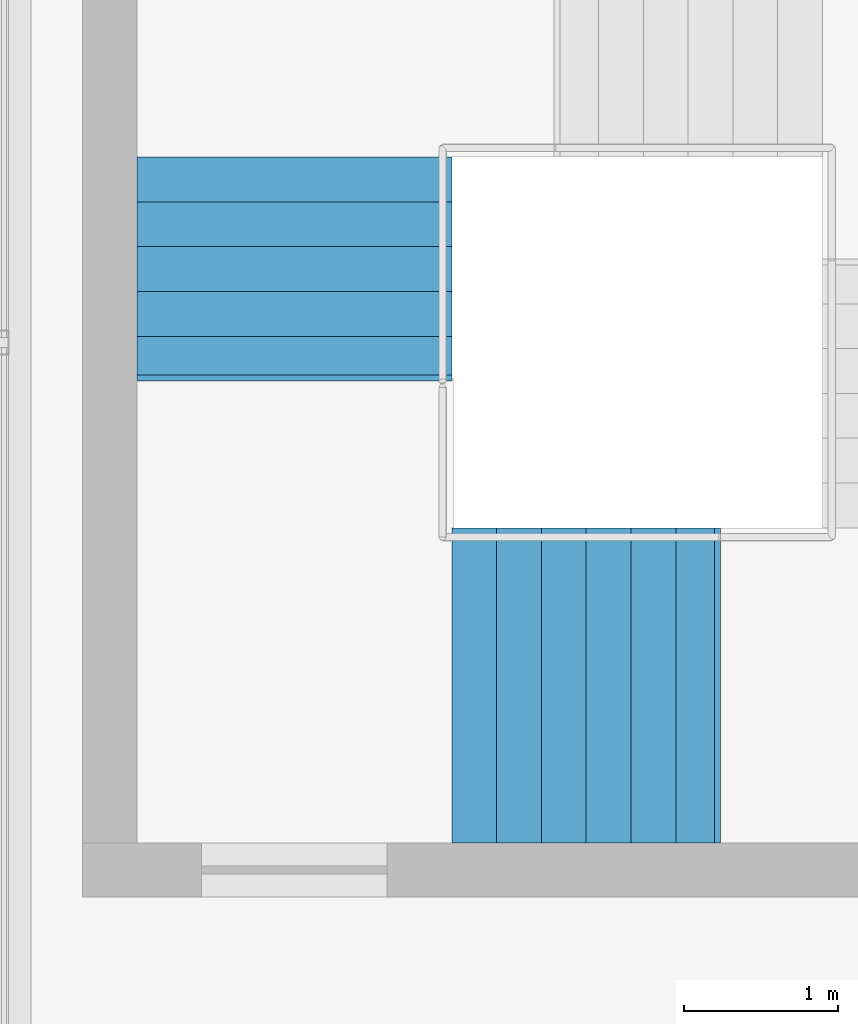
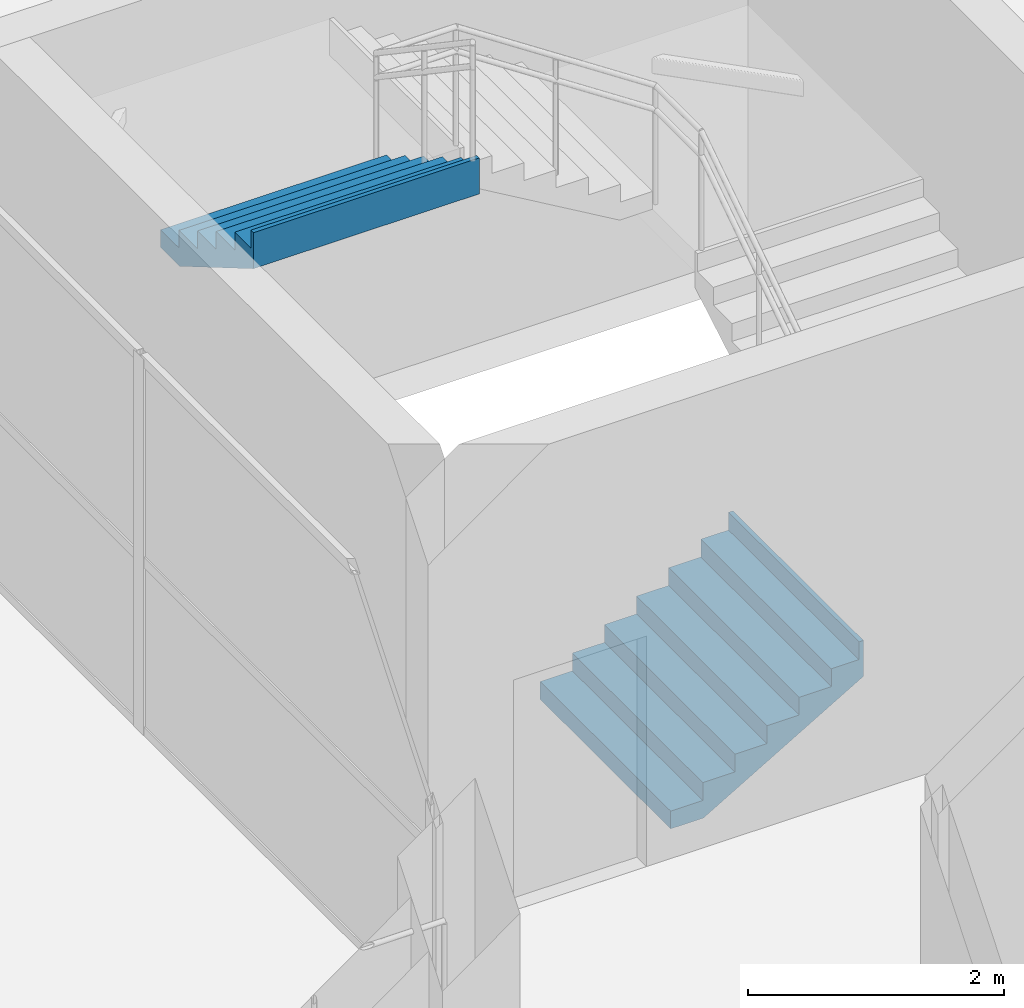
# One storey, part 63 of 69: 2 stair flights, 1 element without a shape of its own.
"""IFC4 building model written with IfcOpenShell, lengths in metres."""

import ifcopenshell
import ifcopenshell.guid

model = None  # the IFC model being written
_history = None  # IfcOwnerHistory: only IFC2X3 demands one
_inside = {}  # id of a spatial element -> (the spatial element, [elements in it])
_under = {}  # id of a project, library or spatial element -> (it, [spatial elements below it])
_declared = {}  # id of a project -> (the project, [libraries it declares])
_typed = {}  # id of a type object -> (the type object, [elements of that type])
_made_of = {}  # id of a material, layer set ... -> (it, [elements and type objects made of it])


def new_model(schema):
    """Start an empty IFC model of exactly this schema.

    Asked for "IFC4X3", IfcOpenShell would pick the latest addendum, in which some entities
    have other attributes; the version numbers below select the first issue.
    IFC2X3 requires an IfcOwnerHistory on every rooted entity: one is made here for all.
    """
    global model, _history
    if schema == "IFC4X3":
        model = ifcopenshell.file(schema_version=(4, 3, 0, 0))
    else:
        model = ifcopenshell.file(schema=schema)
    _inside.clear()
    _under.clear()
    _declared.clear()
    _typed.clear()
    _made_of.clear()
    _history = None
    if model.schema == "IFC2X3":
        org = make("IfcOrganization", Name="unknown")
        user = make(
            "IfcPersonAndOrganization",
            ThePerson=make("IfcPerson", FamilyName="unknown"),
            TheOrganization=org,
        )
        app = make(
            "IfcApplication",
            ApplicationDeveloper=org,
            Version="unknown",
            ApplicationFullName="unknown",
            ApplicationIdentifier="unknown",
        )
        _history = make(
            "IfcOwnerHistory",
            OwningUser=user,
            OwningApplication=app,
            ChangeAction="ADDED",
            CreationDate=0,
        )
    return model


def make(cls, **values):
    """One entity of the class cls with the attributes given. An attribute that is None is left unset."""
    return model.create_entity(
        cls, **{name: value for name, value in values.items() if value is not None}
    )


def rooted(cls, **values):
    """An entity with a GlobalId (a new one), such as an element, a storey or a relation."""
    return make(cls, GlobalId=ifcopenshell.guid.new(), OwnerHistory=_history, **values)


def si_unit(unit_type, name, prefix=None):
    """IfcSIUnit, for example si_unit("LENGTHUNIT", "METRE", prefix="MILLI")."""
    return make("IfcSIUnit", UnitType=unit_type, Prefix=prefix, Name=name)


def assignment(units):
    """IfcUnitAssignment: the units of a project."""
    return None if units is None else make("IfcUnitAssignment", Units=units)


def point(xyz):
    """IfcCartesianPoint."""
    return None if xyz is None else make("IfcCartesianPoint", Coordinates=xyz)


def direction(xyz):
    """IfcDirection."""
    return None if xyz is None else make("IfcDirection", DirectionRatios=xyz)


def frame(location, z_axis=None, x_axis=None):
    """IfcAxis2Placement3D, a coordinate frame: its origin and axes. An axis left out is left unset."""
    return make(
        "IfcAxis2Placement3D",
        Location=point(location),
        Axis=direction(z_axis),
        RefDirection=direction(x_axis),
    )


def origin():
    """The frame at (0, 0, 0) with its axes left unset."""
    return frame((0.0, 0.0, 0.0))


def place(relative_to, where):
    """IfcLocalPlacement: puts the frame where relative to a parent placement (None: the world)."""
    return make(
        "IfcLocalPlacement", PlacementRelTo=relative_to, RelativePlacement=where
    )


def context(
    kind, dimensions, precision=None, world=None, true_north=None, identifier=None
):
    """IfcGeometricRepresentationContext, for example the 3D "Model" context."""
    return make(
        "IfcGeometricRepresentationContext",
        ContextIdentifier=identifier,
        ContextType=kind,
        CoordinateSpaceDimension=dimensions,
        Precision=precision,
        WorldCoordinateSystem=world,
        TrueNorth=true_north,
    )


def subcontext(parent, identifier, kind, view, scale=None):
    """IfcGeometricRepresentationSubContext, for example "Body" below "Model"."""
    return make(
        "IfcGeometricRepresentationSubContext",
        ContextIdentifier=identifier,
        ContextType=kind,
        ParentContext=parent,
        TargetScale=scale,
        TargetView=view,
    )


def project(units=None, contexts=None):
    """IfcProject with its units and contexts."""
    return rooted(
        "IfcProject",
        Name="project",
        RepresentationContexts=contexts,
        UnitsInContext=assignment(units),
    )


def spatial(cls, under=None, at=None, **own):
    """A site, building, storey or space (cls), placed at a placement, below another one or the project."""
    s = rooted(cls, ObjectPlacement=at, **own)
    if under is not None:
        _under.setdefault(under.id(), (under, []))[1].append(s)
    return s


def point_list(points):
    """IfcCartesianPointList2D or 3D."""
    cls = (
        "IfcCartesianPointList2D" if len(points[0]) == 2 else "IfcCartesianPointList3D"
    )
    return make(cls, CoordList=points)


def triangles(points, corners, closed=None, point_numbers=None):
    """IfcTriangulatedFaceSet: each triangle names its three corners, points numbered from 1."""
    return make(
        "IfcTriangulatedFaceSet",
        Coordinates=point_list(points),
        Closed=closed,
        CoordIndex=corners,
        PnIndex=point_numbers,
    )


def shape(context_of_items, identifier, shape_type, items):
    """IfcShapeRepresentation: the items that make up one representation, for example the "Body"."""
    return make(
        "IfcShapeRepresentation",
        ContextOfItems=context_of_items,
        RepresentationIdentifier=identifier,
        RepresentationType=shape_type,
        Items=items,
    )


def material(Name=None, Category=None):
    """IfcMaterial."""
    return make("IfcMaterial", Name=Name, Category=Category)


def made_of(thing, what):
    """Note that an element or type object is made of a material, layer set ...; save() writes the relation."""
    if what is not None:
        _made_of.setdefault(what.id(), (what, []))[1].append(thing)
    return thing


def type_object(cls, material=None, **own):
    """A type object (cls), such as IfcWallType, which elements share."""
    return made_of(rooted(cls, **own), material)


def element(
    cls,
    number,
    at=None,
    inside=None,
    cuts=None,
    type_object=None,
    material=None,
    context=None,
    identifier="Body",
    shape_type=None,
    held_by="IfcProductDefinitionShape",
    body=None,
    shapes=None,
    **own,
):
    """One element of the class cls, such as IfcWall. Its Tag is "e" and its number.

    at: its placement. inside: the storey or other place that contains it. cuts: it is an
    opening in that element (IfcRelVoidsElement). A single representation is given by context,
    identifier, shape_type and body (its items); several are given by shapes. held_by: the class
    of the entity that holds the representations. save() writes the other relations.
    """
    e = rooted(cls, Tag="e%d" % number, ObjectPlacement=at, **own)
    if body is not None:
        shapes = [shape(context, identifier, shape_type, body)]
    if shapes is not None:
        e.Representation = make(held_by, Representations=shapes)
    if inside is not None:
        _inside.setdefault(inside.id(), (inside, []))[1].append(e)
    if cuts is not None:
        rooted(
            "IfcRelVoidsElement", RelatingBuildingElement=cuts, RelatedOpeningElement=e
        )
    if type_object is not None:
        _typed.setdefault(type_object.id(), (type_object, []))[1].append(e)
    return made_of(e, material)


def aggregate(whole, parts):
    """IfcRelAggregates: a whole, such as a stair, and the parts it consists of."""
    return rooted("IfcRelAggregates", RelatingObject=whole, RelatedObjects=parts)


def save(model, path):
    """Write the relations noted so far, then the file.

    IfcRelAggregates (storeys below a building ...), IfcRelContainedInSpatialStructure (elements
    in a storey), IfcRelDefinesByType, IfcRelAssociatesMaterial and IfcRelDeclares: one each for
    every whole, place, type object, material and project.
    """
    for whole, parts in _under.values():
        aggregate(whole, parts)
    for where, things in _inside.values():
        rooted(
            "IfcRelContainedInSpatialStructure",
            RelatedElements=things,
            RelatingStructure=where,
        )
    for kind, things in _typed.values():
        rooted("IfcRelDefinesByType", RelatedObjects=things, RelatingType=kind)
    for what, things in _made_of.values():
        rooted("IfcRelAssociatesMaterial", RelatedObjects=things, RelatingMaterial=what)
    for by, libraries in _declared.values():
        rooted("IfcRelDeclares", RelatingContext=by, RelatedDefinitions=libraries)
    model.write(path)


model = new_model("IFC4")

# Units and contexts
model_context = context("Model", 3, precision=1e-05, world=origin(), true_north=direction((0.0, 1.0)))
body_context = subcontext(model_context, "Body", "Model", "MODEL_VIEW")
ifc_project = project(units=[si_unit("LENGTHUNIT", "METRE"), si_unit("AREAUNIT", "SQUARE_METRE"), si_unit("VOLUMEUNIT", "CUBIC_METRE"), si_unit("PLANEANGLEUNIT", "RADIAN"), si_unit("MASSUNIT", "GRAM", prefix="KILO")], contexts=[model_context])

# Site, building, storey
site_placement = place(None, origin())
site = spatial("IfcSite", under=ifc_project, at=site_placement, CompositionType="ELEMENT")
building_placement = place(site_placement, origin())
building = spatial("IfcBuilding", under=site, at=building_placement, Name="Sillaruma Civic Art Gallery", CompositionType="ELEMENT")
storey_placement = place(building_placement, frame((0.0, 0.0, 42.330078125)))
storey = spatial("IfcBuildingStorey", under=building, at=storey_placement, Name="L08", CompositionType="ELEMENT", Elevation=42.330078125)

# Stair, stair flights
ifc_material = material(Name="Concrete H35 (35 MPa)", Category="concrete")
stair_type = type_object("IfcStairType", Name="STR-4F-27", PredefinedType="USERDEFINED", material=ifc_material)
stair_placement = place(storey_placement, origin())
stair = element("IfcStair", 1, at=stair_placement, inside=storey, type_object=stair_type, Name="Protected Exit Stair ST-04 (East Bar) (L08)", ObjectType="THREE_RETURN_STAIR", PredefinedType="USERDEFINED")
stair_flight_type_1 = type_object("IfcStairFlightType", Name="SFL-STR-6", PredefinedType="STRAIGHT", material=ifc_material)
stair_flight_1_placement = place(storey_placement, frame((99.8798828125, 55.64990234375, 3.56982421875), z_axis=(0.0, 0.0, 1.0), x_axis=(0.0, -1.0, 0.0)))
stair_flight_1 = element("IfcStairFlight", 2, at=stair_flight_1_placement, type_object=stair_flight_type_1, Name="ST-04 flight 4", NumberOfRisers=6, NumberOfTreads=5, PredefinedType="STRAIGHT", RiserHeight=0.17, TreadLength=0.29, context=body_context, shape_type="Tessellation", body=[
    triangles([(0.0, -1.02001953125, 0.0), (0.29, -1.02001953125, 0.0), (0.296365, -1.02001953125, 0.0), (0.58, -1.02001953125, 0.166269), (0.87, -1.02001953125, 0.336269), (1.16, -1.02001953125, 0.506269), (1.409951, -1.02001953125, 0.652792), (1.449951, -1.02001953125, 0.67624), (1.449951, -1.02001953125, 1.02), (1.409951, -1.02001953125, 1.02), (1.409951, -1.02001953125, 0.85), (1.16, -1.02001953125, 0.85), (1.16, -1.02001953125, 0.68), (0.87, -1.02001953125, 0.68), (0.87, -1.02001953125, 0.51), (0.58, -1.02001953125, 0.51), (0.58, -1.02001953125, 0.34), (0.296365, -1.02001953125, 0.34), (0.29, -1.02001953125, 0.34), (0.29, -1.02001953125, 0.17), (0.0, -1.02001953125, 0.17), (0.0, -0.05, 0.0), (0.29, -0.05, 0.0), (0.296365, -0.05, 0.0), (0.58, -0.05, 0.166269), (0.87, -0.05, 0.336269), (1.16, -0.05, 0.506269), (1.409951, -0.05, 0.652792), (1.449951, -0.05, 0.67624), (1.449951, -0.05, 1.02), (1.409951, -0.05, 1.02), (1.409951, -0.05, 0.85), (1.16, -0.05, 0.85), (1.16, -0.05, 0.68), (0.87, -0.05, 0.68), (0.87, -0.05, 0.51), (0.58, -0.05, 0.51), (0.58, -0.05, 0.34), (0.296365, -0.05, 0.34), (0.29, -0.05, 0.34), (0.29, -0.05, 0.17), (0.0, -0.05, 0.17), (0.0, -0.0375, 0.0), (0.29, -0.0375, 0.0), (0.296365, -0.0375, 0.0), (0.58, -0.0375, 0.166269), (0.87, -0.0375, 0.336269), (1.16, -0.0375, 0.506269), (1.409951, -0.0375, 0.652792), (1.449951, -0.0375, 0.67624), (1.449951, -0.0375, 1.02), (1.409951, -0.0375, 1.02), (1.409951, -0.0375, 0.85), (1.16, -0.0375, 0.85), (1.16, -0.0375, 0.68), (0.87, -0.0375, 0.68), (0.87, -0.0375, 0.51), (0.58, -0.0375, 0.51), (0.58, -0.0375, 0.34), (0.296365, -0.0375, 0.34), (0.29, -0.0375, 0.34), (0.29, -0.0375, 0.17), (0.0, -0.0375, 0.17), (0.0, -0.025, 0.0), (0.29, -0.025, 0.0), (0.296365, -0.025, 0.0), (0.58, -0.025, 0.166269), (0.87, -0.025, 0.336269), (1.16, -0.025, 0.506269), (1.409951, -0.025, 0.652792), (1.449951, -0.025, 0.67624), (1.449951, -0.025, 1.02), (1.409951, -0.025, 1.02), (1.409951, -0.025, 0.85), (1.16, -0.025, 0.85), (1.16, -0.025, 0.68), (0.87, -0.025, 0.68), (0.87, -0.025, 0.51), (0.58, -0.025, 0.51), (0.58, -0.025, 0.34), (0.296365, -0.025, 0.34), (0.29, -0.025, 0.34), (0.29, -0.025, 0.17), (0.0, -0.025, 0.17), (0.0, -0.0125, 0.0), (0.29, -0.0125, 0.0), (0.296365, -0.0125, 0.0), (0.58, -0.0125, 0.166269), (0.87, -0.0125, 0.336269), (1.16, -0.0125, 0.506269), (1.409951, -0.0125, 0.652792), (1.449951, -0.0125, 0.67624), (1.449951, -0.0125, 1.02), (1.409951, -0.0125, 1.02), (1.409951, -0.0125, 0.85), (1.16, -0.0125, 0.85), (1.16, -0.0125, 0.68), (0.87, -0.0125, 0.68), (0.87, -0.0125, 0.51), (0.58, -0.0125, 0.51), (0.58, -0.0125, 0.34), (0.296365, -0.0125, 0.34), (0.29, -0.0125, 0.34), (0.29, -0.0125, 0.17), (0.0, -0.0125, 0.17), (0.0, 0.0, 0.0), (0.29, 0.0, 0.0), (0.296365, 0.0, 0.0), (0.58, 0.0, 0.166269), (0.87, 0.0, 0.336269), (1.16, 0.0, 0.506269), (1.409951, 0.0, 0.652792), (1.449951, 0.0, 0.67624), (1.449951, 0.0, 1.02), (1.409951, 0.0, 1.02), (1.409951, 0.0, 0.85), (1.16, 0.0, 0.85), (1.16, 0.0, 0.68), (0.87, 0.0, 0.68), (0.87, 0.0, 0.51), (0.58, 0.0, 0.51), (0.58, 0.0, 0.34), (0.296365, 0.0, 0.34), (0.29, 0.0, 0.34), (0.29, 0.0, 0.17), (0.0, 0.0, 0.17), (0.0, 0.0125, 0.0), (0.29, 0.0125, 0.0), (0.296365, 0.0125, 0.0), (0.58, 0.0125, 0.166269), (0.87, 0.0125, 0.336269), (1.16, 0.0125, 0.506269), (1.409951, 0.0125, 0.652792), (1.449951, 0.0125, 0.67624), (1.449951, 0.0125, 1.02), (1.409951, 0.0125, 1.02), (1.409951, 0.0125, 0.85), (1.16, 0.0125, 0.85), (1.16, 0.0125, 0.68), (0.87, 0.0125, 0.68), (0.87, 0.0125, 0.51), (0.58, 0.0125, 0.51), (0.58, 0.0125, 0.34), (0.296365, 0.0125, 0.34), (0.29, 0.0125, 0.34), (0.29, 0.0125, 0.17), (0.0, 0.0125, 0.17), (0.0, 0.025, 0.0), (0.29, 0.025, 0.0), (0.296365, 0.025, 0.0), (0.58, 0.025, 0.166269), (0.87, 0.025, 0.336269), (1.16, 0.025, 0.506269), (1.409951, 0.025, 0.652792), (1.449951, 0.025, 0.67624), (1.449951, 0.025, 1.02), (1.409951, 0.025, 1.02), (1.409951, 0.025, 0.85), (1.16, 0.025, 0.85), (1.16, 0.025, 0.68), (0.87, 0.025, 0.68), (0.87, 0.025, 0.51), (0.58, 0.025, 0.51), (0.58, 0.025, 0.34), (0.296365, 0.025, 0.34), (0.29, 0.025, 0.34), (0.29, 0.025, 0.17), (0.0, 0.025, 0.17), (0.0, 0.0375, 0.0), (0.29, 0.0375, 0.0), (0.296365, 0.0375, 0.0), (0.58, 0.0375, 0.166269), (0.87, 0.0375, 0.336269), (1.16, 0.0375, 0.506269), (1.409951, 0.0375, 0.652792), (1.449951, 0.0375, 0.67624), (1.449951, 0.0375, 1.02), (1.409951, 0.0375, 1.02), (1.409951, 0.0375, 0.85), (1.16, 0.0375, 0.85), (1.16, 0.0375, 0.68), (0.87, 0.0375, 0.68), (0.87, 0.0375, 0.51), (0.58, 0.0375, 0.51), (0.58, 0.0375, 0.34), (0.296365, 0.0375, 0.34), (0.29, 0.0375, 0.34), (0.29, 0.0375, 0.17), (0.0, 0.0375, 0.17), (0.0, 0.05, 0.0), (0.29, 0.05, 0.0), (0.296365, 0.05, 0.0), (0.58, 0.05, 0.166269), (0.87, 0.05, 0.336269), (1.16, 0.05, 0.506269), (1.409951, 0.05, 0.652792), (1.449951, 0.05, 0.67624), (1.449951, 0.05, 1.02), (1.409951, 0.05, 1.02), (1.409951, 0.05, 0.85), (1.16, 0.05, 0.85), (1.16, 0.05, 0.68), (0.87, 0.05, 0.68), (0.87, 0.05, 0.51), (0.58, 0.05, 0.51), (0.58, 0.05, 0.34), (0.296365, 0.05, 0.34), (0.29, 0.05, 0.34), (0.29, 0.05, 0.17), (0.0, 0.05, 0.17), (0.0, 1.02001953125, 0.0), (0.29, 1.02001953125, 0.0), (0.296365, 1.02001953125, 0.0), (0.58, 1.02001953125, 0.166269), (0.87, 1.02001953125, 0.336269), (1.16, 1.02001953125, 0.506269), (1.409951, 1.02001953125, 0.652792), (1.449951, 1.02001953125, 0.67624), (1.449951, 1.02001953125, 1.02), (1.409951, 1.02001953125, 1.02), (1.409951, 1.02001953125, 0.85), (1.16, 1.02001953125, 0.85), (1.16, 1.02001953125, 0.68), (0.87, 1.02001953125, 0.68), (0.87, 1.02001953125, 0.51), (0.58, 1.02001953125, 0.51), (0.58, 1.02001953125, 0.34), (0.296365, 1.02001953125, 0.34), (0.29, 1.02001953125, 0.34), (0.29, 1.02001953125, 0.17), (0.0, 1.02001953125, 0.17)], [[1, 2, 20], [1, 20, 21], [2, 3, 18], [2, 18, 20], [20, 18, 19], [3, 4, 17], [3, 17, 18], [4, 5, 15], [4, 15, 17], [17, 15, 16], [5, 6, 13], [5, 13, 15], [15, 13, 14], [6, 7, 11], [6, 11, 13], [13, 11, 12], [7, 8, 9], [7, 9, 11], [11, 9, 10], [230, 212, 211], [231, 230, 211], [228, 213, 212], [230, 228, 212], [229, 228, 230], [227, 214, 213], [228, 227, 213], [225, 215, 214], [227, 225, 214], [226, 225, 227], [223, 216, 215], [225, 223, 215], [224, 223, 225], [221, 217, 216], [223, 221, 216], [222, 221, 223], [219, 218, 217], [221, 219, 217], [220, 219, 221], [2, 1, 22], [2, 22, 23], [3, 2, 23], [3, 23, 24], [4, 3, 24], [4, 24, 25], [5, 4, 25], [5, 25, 26], [6, 5, 26], [6, 26, 27], [7, 6, 27], [7, 27, 28], [8, 7, 28], [8, 28, 29], [9, 8, 29], [9, 29, 30], [10, 9, 30], [10, 30, 31], [11, 10, 31], [11, 31, 32], [12, 11, 32], [12, 32, 33], [13, 12, 33], [13, 33, 34], [14, 13, 34], [14, 34, 35], [15, 14, 35], [15, 35, 36], [16, 15, 36], [16, 36, 37], [17, 16, 37], [17, 37, 38], [18, 17, 38], [18, 38, 39], [19, 18, 39], [19, 39, 40], [20, 19, 40], [20, 40, 41], [21, 20, 41], [21, 41, 42], [1, 21, 42], [1, 42, 22], [23, 22, 43], [23, 43, 44], [24, 23, 44], [24, 44, 45], [25, 24, 45], [25, 45, 46], [26, 25, 46], [26, 46, 47], [27, 26, 47], [27, 47, 48], [28, 27, 48], [28, 48, 49], [29, 28, 49], [29, 49, 50], [30, 29, 50], [30, 50, 51], [31, 30, 51], [31, 51, 52], [32, 31, 52], [32, 52, 53], [33, 32, 53], [33, 53, 54], [34, 33, 54], [34, 54, 55], [35, 34, 55], [35, 55, 56], [36, 35, 56], [36, 56, 57], [37, 36, 57], [37, 57, 58], [38, 37, 58], [38, 58, 59], [39, 38, 59], [39, 59, 60], [40, 39, 60], [40, 60, 61], [41, 40, 61], [41, 61, 62], [42, 41, 62], [42, 62, 63], [22, 42, 63], [22, 63, 43], [44, 43, 64], [44, 64, 65], [45, 44, 65], [45, 65, 66], [46, 45, 66], [46, 66, 67], [47, 46, 67], [47, 67, 68], [48, 47, 68], [48, 68, 69], [49, 48, 69], [49, 69, 70], [50, 49, 70], [50, 70, 71], [51, 50, 71], [51, 71, 72], [52, 51, 72], [52, 72, 73], [53, 52, 73], [53, 73, 74], [54, 53, 74], [54, 74, 75], [55, 54, 75], [55, 75, 76], [56, 55, 76], [56, 76, 77], [57, 56, 77], [57, 77, 78], [58, 57, 78], [58, 78, 79], [59, 58, 79], [59, 79, 80], [60, 59, 80], [60, 80, 81], [61, 60, 81], [61, 81, 82], [62, 61, 82], [62, 82, 83], [63, 62, 83], [63, 83, 84], [43, 63, 84], [43, 84, 64], [65, 64, 85], [65, 85, 86], [66, 65, 86], [66, 86, 87], [67, 66, 87], [67, 87, 88], [68, 67, 88], [68, 88, 89], [69, 68, 89], [69, 89, 90], [70, 69, 90], [70, 90, 91], [71, 70, 91], [71, 91, 92], [72, 71, 92], [72, 92, 93], [73, 72, 93], [73, 93, 94], [74, 73, 94], [74, 94, 95], [75, 74, 95], [75, 95, 96], [76, 75, 96], [76, 96, 97], [77, 76, 97], [77, 97, 98], [78, 77, 98], [78, 98, 99], [79, 78, 99], [79, 99, 100], [80, 79, 100], [80, 100, 101], [81, 80, 101], [81, 101, 102], [82, 81, 102], [82, 102, 103], [83, 82, 103], [83, 103, 104], [84, 83, 104], [84, 104, 105], [64, 84, 105], [64, 105, 85], [86, 85, 106], [86, 106, 107], [87, 86, 107], [87, 107, 108], [88, 87, 108], [88, 108, 109], [89, 88, 109], [89, 109, 110], [90, 89, 110], [90, 110, 111], [91, 90, 111], [91, 111, 112], [92, 91, 112], [92, 112, 113], [93, 92, 113], [93, 113, 114], [94, 93, 114], [94, 114, 115], [95, 94, 115], [95, 115, 116], [96, 95, 116], [96, 116, 117], [97, 96, 117], [97, 117, 118], [98, 97, 118], [98, 118, 119], [99, 98, 119], [99, 119, 120], [100, 99, 120], [100, 120, 121], [101, 100, 121], [101, 121, 122], [102, 101, 122], [102, 122, 123], [103, 102, 123], [103, 123, 124], [104, 103, 124], [104, 124, 125], [105, 104, 125], [105, 125, 126], [85, 105, 126], [85, 126, 106], [107, 106, 127], [107, 127, 128], [108, 107, 128], [108, 128, 129], [109, 108, 129], [109, 129, 130], [110, 109, 130], [110, 130, 131], [111, 110, 131], [111, 131, 132], [112, 111, 132], [112, 132, 133], [113, 112, 133], [113, 133, 134], [114, 113, 134], [114, 134, 135], [115, 114, 135], [115, 135, 136], [116, 115, 136], [116, 136, 137], [117, 116, 137], [117, 137, 138], [118, 117, 138], [118, 138, 139], [119, 118, 139], [119, 139, 140], [120, 119, 140], [120, 140, 141], [121, 120, 141], [121, 141, 142], [122, 121, 142], [122, 142, 143], [123, 122, 143], [123, 143, 144], [124, 123, 144], [124, 144, 145], [125, 124, 145], [125, 145, 146], [126, 125, 146], [126, 146, 147], [106, 126, 147], [106, 147, 127], [128, 127, 148], [128, 148, 149], [129, 128, 149], [129, 149, 150], [130, 129, 150], [130, 150, 151], [131, 130, 151], [131, 151, 152], [132, 131, 152], [132, 152, 153], [133, 132, 153], [133, 153, 154], [134, 133, 154], [134, 154, 155], [135, 134, 155], [135, 155, 156], [136, 135, 156], [136, 156, 157], [137, 136, 157], [137, 157, 158], [138, 137, 158], [138, 158, 159], [139, 138, 159], [139, 159, 160], [140, 139, 160], [140, 160, 161], [141, 140, 161], [141, 161, 162], [142, 141, 162], [142, 162, 163], [143, 142, 163], [143, 163, 164], [144, 143, 164], [144, 164, 165], [145, 144, 165], [145, 165, 166], [146, 145, 166], [146, 166, 167], [147, 146, 167], [147, 167, 168], [127, 147, 168], [127, 168, 148], [149, 148, 169], [149, 169, 170], [150, 149, 170], [150, 170, 171], [151, 150, 171], [151, 171, 172], [152, 151, 172], [152, 172, 173], [153, 152, 173], [153, 173, 174], [154, 153, 174], [154, 174, 175], [155, 154, 175], [155, 175, 176], [156, 155, 176], [156, 176, 177], [157, 156, 177], [157, 177, 178], [158, 157, 178], [158, 178, 179], [159, 158, 179], [159, 179, 180], [160, 159, 180], [160, 180, 181], [161, 160, 181], [161, 181, 182], [162, 161, 182], [162, 182, 183], [163, 162, 183], [163, 183, 184], [164, 163, 184], [164, 184, 185], [165, 164, 185], [165, 185, 186], [166, 165, 186], [166, 186, 187], [167, 166, 187], [167, 187, 188], [168, 167, 188], [168, 188, 189], [148, 168, 189], [148, 189, 169], [170, 169, 190], [170, 190, 191], [171, 170, 191], [171, 191, 192], [172, 171, 192], [172, 192, 193], [173, 172, 193], [173, 193, 194], [174, 173, 194], [174, 194, 195], [175, 174, 195], [175, 195, 196], [176, 175, 196], [176, 196, 197], [177, 176, 197], [177, 197, 198], [178, 177, 198], [178, 198, 199], [179, 178, 199], [179, 199, 200], [180, 179, 200], [180, 200, 201], [181, 180, 201], [181, 201, 202], [182, 181, 202], [182, 202, 203], [183, 182, 203], [183, 203, 204], [184, 183, 204], [184, 204, 205], [185, 184, 205], [185, 205, 206], [186, 185, 206], [186, 206, 207], [187, 186, 207], [187, 207, 208], [188, 187, 208], [188, 208, 209], [189, 188, 209], [189, 209, 210], [169, 189, 210], [169, 210, 190], [191, 190, 211], [191, 211, 212], [192, 191, 212], [192, 212, 213], [193, 192, 213], [193, 213, 214], [194, 193, 214], [194, 214, 215], [195, 194, 215], [195, 215, 216], [196, 195, 216], [196, 216, 217], [197, 196, 217], [197, 217, 218], [198, 197, 218], [198, 218, 219], [199, 198, 219], [199, 219, 220], [200, 199, 220], [200, 220, 221], [201, 200, 221], [201, 221, 222], [202, 201, 222], [202, 222, 223], [203, 202, 223], [203, 223, 224], [204, 203, 224], [204, 224, 225], [205, 204, 225], [205, 225, 226], [206, 205, 226], [206, 226, 227], [207, 206, 227], [207, 227, 228], [208, 207, 228], [208, 228, 229], [209, 208, 229], [209, 229, 230], [210, 209, 230], [210, 230, 231], [190, 210, 231], [190, 231, 211]], closed=True),
])
stair_flight_type_2 = type_object("IfcStairFlightType", Name="SFL-STR-7", PredefinedType="STRAIGHT", material=ifc_material)
stair_flight_2_placement = place(storey_placement, frame((100.89990234375, 52.22998046875, 0.0), z_axis=(0.0, 0.0, 1.0), x_axis=(1.0, 0.0, 0.0)))
stair_flight_2 = element("IfcStairFlight", 3, at=stair_flight_2_placement, type_object=stair_flight_type_2, Name="ST-04 flight 1", NumberOfRisers=7, NumberOfTreads=6, PredefinedType="STRAIGHT", RiserHeight=0.17, TreadLength=0.29, context=body_context, shape_type="Tessellation", body=[
    triangles([(0.0, -1.02001953125, 0.0), (0.29, -1.02001953125, 0.0), (0.296404, -1.02001953125, 0.0), (0.58, -1.02001953125, 0.166246), (0.87, -1.02001953125, 0.336246), (1.16, -1.02001953125, 0.506246), (1.45, -1.02001953125, 0.676246), (1.69999, -1.02001953125, 0.822792), (1.73999, -1.02001953125, 0.84624), (1.73999, -1.02001953125, 1.19), (1.69999, -1.02001953125, 1.19), (1.69999, -1.02001953125, 1.02), (1.45, -1.02001953125, 1.02), (1.45, -1.02001953125, 0.85), (1.16, -1.02001953125, 0.85), (1.16, -1.02001953125, 0.68), (0.87, -1.02001953125, 0.68), (0.87, -1.02001953125, 0.51), (0.58, -1.02001953125, 0.51), (0.58, -1.02001953125, 0.34), (0.296404, -1.02001953125, 0.34), (0.29, -1.02001953125, 0.34), (0.29, -1.02001953125, 0.17), (0.0, -1.02001953125, 0.17), (0.0, -0.05, 0.0), (0.29, -0.05, 0.0), (0.296404, -0.05, 0.0), (0.58, -0.05, 0.166246), (0.87, -0.05, 0.336246), (1.16, -0.05, 0.506246), (1.45, -0.05, 0.676246), (1.69999, -0.05, 0.822792), (1.73999, -0.05, 0.84624), (1.73999, -0.05, 1.19), (1.69999, -0.05, 1.19), (1.69999, -0.05, 1.02), (1.45, -0.05, 1.02), (1.45, -0.05, 0.85), (1.16, -0.05, 0.85), (1.16, -0.05, 0.68), (0.87, -0.05, 0.68), (0.87, -0.05, 0.51), (0.58, -0.05, 0.51), (0.58, -0.05, 0.34), (0.296404, -0.05, 0.34), (0.29, -0.05, 0.34), (0.29, -0.05, 0.17), (0.0, -0.05, 0.17), (0.0, -0.0375, 0.0), (0.29, -0.0375, 0.0), (0.296404, -0.0375, 0.0), (0.58, -0.0375, 0.166246), (0.87, -0.0375, 0.336246), (1.16, -0.0375, 0.506246), (1.45, -0.0375, 0.676246), (1.69999, -0.0375, 0.822792), (1.73999, -0.0375, 0.84624), (1.73999, -0.0375, 1.19), (1.69999, -0.0375, 1.19), (1.69999, -0.0375, 1.02), (1.45, -0.0375, 1.02), (1.45, -0.0375, 0.85), (1.16, -0.0375, 0.85), (1.16, -0.0375, 0.68), (0.87, -0.0375, 0.68), (0.87, -0.0375, 0.51), (0.58, -0.0375, 0.51), (0.58, -0.0375, 0.34), (0.296404, -0.0375, 0.34), (0.29, -0.0375, 0.34), (0.29, -0.0375, 0.17), (0.0, -0.0375, 0.17), (0.0, -0.025, 0.0), (0.29, -0.025, 0.0), (0.296404, -0.025, 0.0), (0.58, -0.025, 0.166246), (0.87, -0.025, 0.336246), (1.16, -0.025, 0.506246), (1.45, -0.025, 0.676246), (1.69999, -0.025, 0.822792), (1.73999, -0.025, 0.84624), (1.73999, -0.025, 1.19), (1.69999, -0.025, 1.19), (1.69999, -0.025, 1.02), (1.45, -0.025, 1.02), (1.45, -0.025, 0.85), (1.16, -0.025, 0.85), (1.16, -0.025, 0.68), (0.87, -0.025, 0.68), (0.87, -0.025, 0.51), (0.58, -0.025, 0.51), (0.58, -0.025, 0.34), (0.296404, -0.025, 0.34), (0.29, -0.025, 0.34), (0.29, -0.025, 0.17), (0.0, -0.025, 0.17), (0.0, -0.0125, 0.0), (0.29, -0.0125, 0.0), (0.296404, -0.0125, 0.0), (0.58, -0.0125, 0.166246), (0.87, -0.0125, 0.336246), (1.16, -0.0125, 0.506246), (1.45, -0.0125, 0.676246), (1.69999, -0.0125, 0.822792), (1.73999, -0.0125, 0.84624), (1.73999, -0.0125, 1.19), (1.69999, -0.0125, 1.19), (1.69999, -0.0125, 1.02), (1.45, -0.0125, 1.02), (1.45, -0.0125, 0.85), (1.16, -0.0125, 0.85), (1.16, -0.0125, 0.68), (0.87, -0.0125, 0.68), (0.87, -0.0125, 0.51), (0.58, -0.0125, 0.51), (0.58, -0.0125, 0.34), (0.296404, -0.0125, 0.34), (0.29, -0.0125, 0.34), (0.29, -0.0125, 0.17), (0.0, -0.0125, 0.17), (0.0, 0.0, 0.0), (0.29, 0.0, 0.0), (0.296404, 0.0, 0.0), (0.58, 0.0, 0.166246), (0.87, 0.0, 0.336246), (1.16, 0.0, 0.506246), (1.45, 0.0, 0.676246), (1.69999, 0.0, 0.822792), (1.73999, 0.0, 0.84624), (1.73999, 0.0, 1.19), (1.69999, 0.0, 1.19), (1.69999, 0.0, 1.02), (1.45, 0.0, 1.02), (1.45, 0.0, 0.85), (1.16, 0.0, 0.85), (1.16, 0.0, 0.68), (0.87, 0.0, 0.68), (0.87, 0.0, 0.51), (0.58, 0.0, 0.51), (0.58, 0.0, 0.34), (0.296404, 0.0, 0.34), (0.29, 0.0, 0.34), (0.29, 0.0, 0.17), (0.0, 0.0, 0.17), (0.0, 0.0125, 0.0), (0.29, 0.0125, 0.0), (0.296404, 0.0125, 0.0), (0.58, 0.0125, 0.166246), (0.87, 0.0125, 0.336246), (1.16, 0.0125, 0.506246), (1.45, 0.0125, 0.676246), (1.69999, 0.0125, 0.822792), (1.73999, 0.0125, 0.84624), (1.73999, 0.0125, 1.19), (1.69999, 0.0125, 1.19), (1.69999, 0.0125, 1.02), (1.45, 0.0125, 1.02), (1.45, 0.0125, 0.85), (1.16, 0.0125, 0.85), (1.16, 0.0125, 0.68), (0.87, 0.0125, 0.68), (0.87, 0.0125, 0.51), (0.58, 0.0125, 0.51), (0.58, 0.0125, 0.34), (0.296404, 0.0125, 0.34), (0.29, 0.0125, 0.34), (0.29, 0.0125, 0.17), (0.0, 0.0125, 0.17), (0.0, 0.025, 0.0), (0.29, 0.025, 0.0), (0.296404, 0.025, 0.0), (0.58, 0.025, 0.166246), (0.87, 0.025, 0.336246), (1.16, 0.025, 0.506246), (1.45, 0.025, 0.676246), (1.69999, 0.025, 0.822792), (1.73999, 0.025, 0.84624), (1.73999, 0.025, 1.19), (1.69999, 0.025, 1.19), (1.69999, 0.025, 1.02), (1.45, 0.025, 1.02), (1.45, 0.025, 0.85), (1.16, 0.025, 0.85), (1.16, 0.025, 0.68), (0.87, 0.025, 0.68), (0.87, 0.025, 0.51), (0.58, 0.025, 0.51), (0.58, 0.025, 0.34), (0.296404, 0.025, 0.34), (0.29, 0.025, 0.34), (0.29, 0.025, 0.17), (0.0, 0.025, 0.17), (0.0, 0.0375, 0.0), (0.29, 0.0375, 0.0), (0.296404, 0.0375, 0.0), (0.58, 0.0375, 0.166246), (0.87, 0.0375, 0.336246), (1.16, 0.0375, 0.506246), (1.45, 0.0375, 0.676246), (1.69999, 0.0375, 0.822792), (1.73999, 0.0375, 0.84624), (1.73999, 0.0375, 1.19), (1.69999, 0.0375, 1.19), (1.69999, 0.0375, 1.02), (1.45, 0.0375, 1.02), (1.45, 0.0375, 0.85), (1.16, 0.0375, 0.85), (1.16, 0.0375, 0.68), (0.87, 0.0375, 0.68), (0.87, 0.0375, 0.51), (0.58, 0.0375, 0.51), (0.58, 0.0375, 0.34), (0.296404, 0.0375, 0.34), (0.29, 0.0375, 0.34), (0.29, 0.0375, 0.17), (0.0, 0.0375, 0.17), (0.0, 0.05, 0.0), (0.29, 0.05, 0.0), (0.296404, 0.05, 0.0), (0.58, 0.05, 0.166246), (0.87, 0.05, 0.336246), (1.16, 0.05, 0.506246), (1.45, 0.05, 0.676246), (1.69999, 0.05, 0.822792), (1.73999, 0.05, 0.84624), (1.73999, 0.05, 1.19), (1.69999, 0.05, 1.19), (1.69999, 0.05, 1.02), (1.45, 0.05, 1.02), (1.45, 0.05, 0.85), (1.16, 0.05, 0.85), (1.16, 0.05, 0.68), (0.87, 0.05, 0.68), (0.87, 0.05, 0.51), (0.58, 0.05, 0.51), (0.58, 0.05, 0.34), (0.296404, 0.05, 0.34), (0.29, 0.05, 0.34), (0.29, 0.05, 0.17), (0.0, 0.05, 0.17), (0.0, 1.02001953125, 0.0), (0.29, 1.02001953125, 0.0), (0.296404, 1.02001953125, 0.0), (0.58, 1.02001953125, 0.166246), (0.87, 1.02001953125, 0.336246), (1.16, 1.02001953125, 0.506246), (1.45, 1.02001953125, 0.676246), (1.69999, 1.02001953125, 0.822792), (1.73999, 1.02001953125, 0.84624), (1.73999, 1.02001953125, 1.19), (1.69999, 1.02001953125, 1.19), (1.69999, 1.02001953125, 1.02), (1.45, 1.02001953125, 1.02), (1.45, 1.02001953125, 0.85), (1.16, 1.02001953125, 0.85), (1.16, 1.02001953125, 0.68), (0.87, 1.02001953125, 0.68), (0.87, 1.02001953125, 0.51), (0.58, 1.02001953125, 0.51), (0.58, 1.02001953125, 0.34), (0.296404, 1.02001953125, 0.34), (0.29, 1.02001953125, 0.34), (0.29, 1.02001953125, 0.17), (0.0, 1.02001953125, 0.17)], [[1, 2, 23], [1, 23, 24], [2, 3, 21], [2, 21, 23], [23, 21, 22], [3, 4, 20], [3, 20, 21], [4, 5, 18], [4, 18, 20], [20, 18, 19], [5, 6, 16], [5, 16, 18], [18, 16, 17], [6, 7, 14], [6, 14, 16], [16, 14, 15], [7, 8, 12], [7, 12, 14], [14, 12, 13], [8, 9, 10], [8, 10, 12], [12, 10, 11], [263, 242, 241], [264, 263, 241], [261, 243, 242], [263, 261, 242], [262, 261, 263], [260, 244, 243], [261, 260, 243], [258, 245, 244], [260, 258, 244], [259, 258, 260], [256, 246, 245], [258, 256, 245], [257, 256, 258], [254, 247, 246], [256, 254, 246], [255, 254, 256], [252, 248, 247], [254, 252, 247], [253, 252, 254], [250, 249, 248], [252, 250, 248], [251, 250, 252], [2, 1, 25], [2, 25, 26], [3, 2, 26], [3, 26, 27], [4, 3, 27], [4, 27, 28], [5, 4, 28], [5, 28, 29], [6, 5, 29], [6, 29, 30], [7, 6, 30], [7, 30, 31], [8, 7, 31], [8, 31, 32], [9, 8, 32], [9, 32, 33], [10, 9, 33], [10, 33, 34], [11, 10, 34], [11, 34, 35], [12, 11, 35], [12, 35, 36], [13, 12, 36], [13, 36, 37], [14, 13, 37], [14, 37, 38], [15, 14, 38], [15, 38, 39], [16, 15, 39], [16, 39, 40], [17, 16, 40], [17, 40, 41], [18, 17, 41], [18, 41, 42], [19, 18, 42], [19, 42, 43], [20, 19, 43], [20, 43, 44], [21, 20, 44], [21, 44, 45], [22, 21, 45], [22, 45, 46], [23, 22, 46], [23, 46, 47], [24, 23, 47], [24, 47, 48], [1, 24, 48], [1, 48, 25], [26, 25, 49], [26, 49, 50], [27, 26, 50], [27, 50, 51], [28, 27, 51], [28, 51, 52], [29, 28, 52], [29, 52, 53], [30, 29, 53], [30, 53, 54], [31, 30, 54], [31, 54, 55], [32, 31, 55], [32, 55, 56], [33, 32, 56], [33, 56, 57], [34, 33, 57], [34, 57, 58], [35, 34, 58], [35, 58, 59], [36, 35, 59], [36, 59, 60], [37, 36, 60], [37, 60, 61], [38, 37, 61], [38, 61, 62], [39, 38, 62], [39, 62, 63], [40, 39, 63], [40, 63, 64], [41, 40, 64], [41, 64, 65], [42, 41, 65], [42, 65, 66], [43, 42, 66], [43, 66, 67], [44, 43, 67], [44, 67, 68], [45, 44, 68], [45, 68, 69], [46, 45, 69], [46, 69, 70], [47, 46, 70], [47, 70, 71], [48, 47, 71], [48, 71, 72], [25, 48, 72], [25, 72, 49], [50, 49, 73], [50, 73, 74], [51, 50, 74], [51, 74, 75], [52, 51, 75], [52, 75, 76], [53, 52, 76], [53, 76, 77], [54, 53, 77], [54, 77, 78], [55, 54, 78], [55, 78, 79], [56, 55, 79], [56, 79, 80], [57, 56, 80], [57, 80, 81], [58, 57, 81], [58, 81, 82], [59, 58, 82], [59, 82, 83], [60, 59, 83], [60, 83, 84], [61, 60, 84], [61, 84, 85], [62, 61, 85], [62, 85, 86], [63, 62, 86], [63, 86, 87], [64, 63, 87], [64, 87, 88], [65, 64, 88], [65, 88, 89], [66, 65, 89], [66, 89, 90], [67, 66, 90], [67, 90, 91], [68, 67, 91], [68, 91, 92], [69, 68, 92], [69, 92, 93], [70, 69, 93], [70, 93, 94], [71, 70, 94], [71, 94, 95], [72, 71, 95], [72, 95, 96], [49, 72, 96], [49, 96, 73], [74, 73, 97], [74, 97, 98], [75, 74, 98], [75, 98, 99], [76, 75, 99], [76, 99, 100], [77, 76, 100], [77, 100, 101], [78, 77, 101], [78, 101, 102], [79, 78, 102], [79, 102, 103], [80, 79, 103], [80, 103, 104], [81, 80, 104], [81, 104, 105], [82, 81, 105], [82, 105, 106], [83, 82, 106], [83, 106, 107], [84, 83, 107], [84, 107, 108], [85, 84, 108], [85, 108, 109], [86, 85, 109], [86, 109, 110], [87, 86, 110], [87, 110, 111], [88, 87, 111], [88, 111, 112], [89, 88, 112], [89, 112, 113], [90, 89, 113], [90, 113, 114], [91, 90, 114], [91, 114, 115], [92, 91, 115], [92, 115, 116], [93, 92, 116], [93, 116, 117], [94, 93, 117], [94, 117, 118], [95, 94, 118], [95, 118, 119], [96, 95, 119], [96, 119, 120], [73, 96, 120], [73, 120, 97], [98, 97, 121], [98, 121, 122], [99, 98, 122], [99, 122, 123], [100, 99, 123], [100, 123, 124], [101, 100, 124], [101, 124, 125], [102, 101, 125], [102, 125, 126], [103, 102, 126], [103, 126, 127], [104, 103, 127], [104, 127, 128], [105, 104, 128], [105, 128, 129], [106, 105, 129], [106, 129, 130], [107, 106, 130], [107, 130, 131], [108, 107, 131], [108, 131, 132], [109, 108, 132], [109, 132, 133], [110, 109, 133], [110, 133, 134], [111, 110, 134], [111, 134, 135], [112, 111, 135], [112, 135, 136], [113, 112, 136], [113, 136, 137], [114, 113, 137], [114, 137, 138], [115, 114, 138], [115, 138, 139], [116, 115, 139], [116, 139, 140], [117, 116, 140], [117, 140, 141], [118, 117, 141], [118, 141, 142], [119, 118, 142], [119, 142, 143], [120, 119, 143], [120, 143, 144], [97, 120, 144], [97, 144, 121], [122, 121, 145], [122, 145, 146], [123, 122, 146], [123, 146, 147], [124, 123, 147], [124, 147, 148], [125, 124, 148], [125, 148, 149], [126, 125, 149], [126, 149, 150], [127, 126, 150], [127, 150, 151], [128, 127, 151], [128, 151, 152], [129, 128, 152], [129, 152, 153], [130, 129, 153], [130, 153, 154], [131, 130, 154], [131, 154, 155], [132, 131, 155], [132, 155, 156], [133, 132, 156], [133, 156, 157], [134, 133, 157], [134, 157, 158], [135, 134, 158], [135, 158, 159], [136, 135, 159], [136, 159, 160], [137, 136, 160], [137, 160, 161], [138, 137, 161], [138, 161, 162], [139, 138, 162], [139, 162, 163], [140, 139, 163], [140, 163, 164], [141, 140, 164], [141, 164, 165], [142, 141, 165], [142, 165, 166], [143, 142, 166], [143, 166, 167], [144, 143, 167], [144, 167, 168], [121, 144, 168], [121, 168, 145], [146, 145, 169], [146, 169, 170], [147, 146, 170], [147, 170, 171], [148, 147, 171], [148, 171, 172], [149, 148, 172], [149, 172, 173], [150, 149, 173], [150, 173, 174], [151, 150, 174], [151, 174, 175], [152, 151, 175], [152, 175, 176], [153, 152, 176], [153, 176, 177], [154, 153, 177], [154, 177, 178], [155, 154, 178], [155, 178, 179], [156, 155, 179], [156, 179, 180], [157, 156, 180], [157, 180, 181], [158, 157, 181], [158, 181, 182], [159, 158, 182], [159, 182, 183], [160, 159, 183], [160, 183, 184], [161, 160, 184], [161, 184, 185], [162, 161, 185], [162, 185, 186], [163, 162, 186], [163, 186, 187], [164, 163, 187], [164, 187, 188], [165, 164, 188], [165, 188, 189], [166, 165, 189], [166, 189, 190], [167, 166, 190], [167, 190, 191], [168, 167, 191], [168, 191, 192], [145, 168, 192], [145, 192, 169], [170, 169, 193], [170, 193, 194], [171, 170, 194], [171, 194, 195], [172, 171, 195], [172, 195, 196], [173, 172, 196], [173, 196, 197], [174, 173, 197], [174, 197, 198], [175, 174, 198], [175, 198, 199], [176, 175, 199], [176, 199, 200], [177, 176, 200], [177, 200, 201], [178, 177, 201], [178, 201, 202], [179, 178, 202], [179, 202, 203], [180, 179, 203], [180, 203, 204], [181, 180, 204], [181, 204, 205], [182, 181, 205], [182, 205, 206], [183, 182, 206], [183, 206, 207], [184, 183, 207], [184, 207, 208], [185, 184, 208], [185, 208, 209], [186, 185, 209], [186, 209, 210], [187, 186, 210], [187, 210, 211], [188, 187, 211], [188, 211, 212], [189, 188, 212], [189, 212, 213], [190, 189, 213], [190, 213, 214], [191, 190, 214], [191, 214, 215], [192, 191, 215], [192, 215, 216], [169, 192, 216], [169, 216, 193], [194, 193, 217], [194, 217, 218], [195, 194, 218], [195, 218, 219], [196, 195, 219], [196, 219, 220], [197, 196, 220], [197, 220, 221], [198, 197, 221], [198, 221, 222], [199, 198, 222], [199, 222, 223], [200, 199, 223], [200, 223, 224], [201, 200, 224], [201, 224, 225], [202, 201, 225], [202, 225, 226], [203, 202, 226], [203, 226, 227], [204, 203, 227], [204, 227, 228], [205, 204, 228], [205, 228, 229], [206, 205, 229], [206, 229, 230], [207, 206, 230], [207, 230, 231], [208, 207, 231], [208, 231, 232], [209, 208, 232], [209, 232, 233], [210, 209, 233], [210, 233, 234], [211, 210, 234], [211, 234, 235], [212, 211, 235], [212, 235, 236], [213, 212, 236], [213, 236, 237], [214, 213, 237], [214, 237, 238], [215, 214, 238], [215, 238, 239], [216, 215, 239], [216, 239, 240], [193, 216, 240], [193, 240, 217], [218, 217, 241], [218, 241, 242], [219, 218, 242], [219, 242, 243], [220, 219, 243], [220, 243, 244], [221, 220, 244], [221, 244, 245], [222, 221, 245], [222, 245, 246], [223, 222, 246], [223, 246, 247], [224, 223, 247], [224, 247, 248], [225, 224, 248], [225, 248, 249], [226, 225, 249], [226, 249, 250], [227, 226, 250], [227, 250, 251], [228, 227, 251], [228, 251, 252], [229, 228, 252], [229, 252, 253], [230, 229, 253], [230, 253, 254], [231, 230, 254], [231, 254, 255], [232, 231, 255], [232, 255, 256], [233, 232, 256], [233, 256, 257], [234, 233, 257], [234, 257, 258], [235, 234, 258], [235, 258, 259], [236, 235, 259], [236, 259, 260], [237, 236, 260], [237, 260, 261], [238, 237, 261], [238, 261, 262], [239, 238, 262], [239, 262, 263], [240, 239, 263], [240, 263, 264], [217, 240, 264], [217, 264, 241]], closed=True),
])
aggregate(stair, [stair_flight_2, stair_flight_1])

save(model, "model.ifc")
